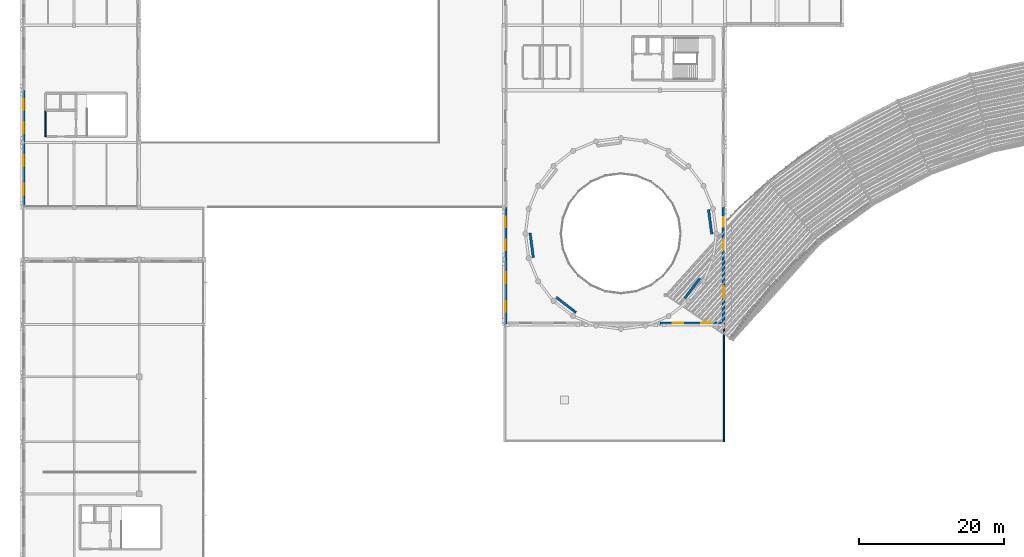
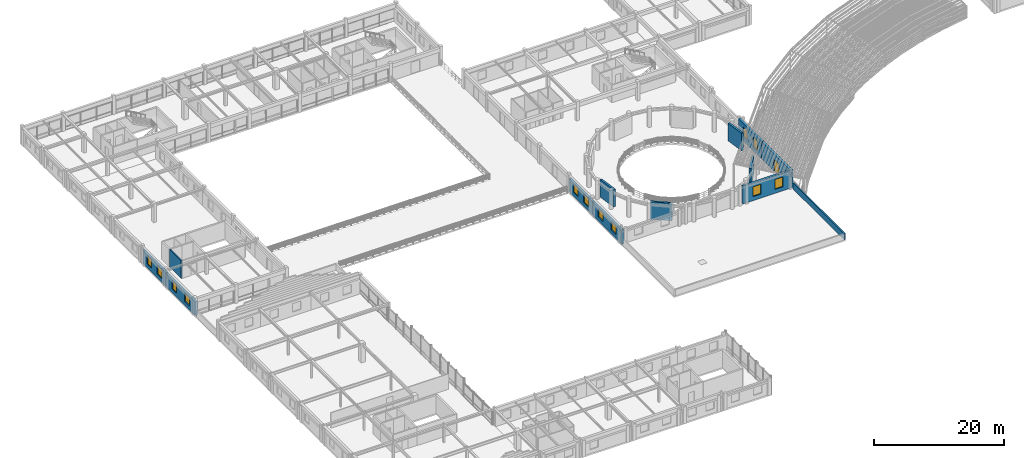
# One storey, part 49 of 74: 13 walls, 12 windows, 1 door, 13 openings.
"""IFC4 building model written with IfcOpenShell, lengths in metres."""

from ifc_helpers import new_model, si_unit, direction, frame, frame_2d, origin, place, context, subcontext, project, spatial, rectangle, extrude, material, layer, layer_set, type_object, element, fill, save


model = new_model("IFC4")

# Units and contexts
model_context = context("Model", 3, precision=1e-05, world=origin(), true_north=direction((0.0, 1.0)))
body_context = subcontext(model_context, "Body", "Model", "MODEL_VIEW")
ifc_project = project(units=[si_unit("LENGTHUNIT", "METRE"), si_unit("AREAUNIT", "SQUARE_METRE"), si_unit("VOLUMEUNIT", "CUBIC_METRE"), si_unit("PLANEANGLEUNIT", "RADIAN"), si_unit("MASSUNIT", "GRAM", prefix="KILO")], contexts=[model_context])

# Site, building, storey
site_placement = place(None, origin())
site = spatial("IfcSite", under=ifc_project, at=site_placement, CompositionType="ELEMENT")
building_placement = place(site_placement, origin())
building = spatial("IfcBuilding", under=site, at=building_placement, Name="Clarverna Civic Hall", CompositionType="ELEMENT")
storey_placement = place(building_placement, frame((0.0, 0.0, 13.199951171875)))
storey = spatial("IfcBuildingStorey", under=building, at=storey_placement, Name="L03", CompositionType="ELEMENT", Elevation=13.199951171875)

# Wall, openings, windows
ifc_material_1 = material(Name="Montjuic Limestone Ashlar Cladding", Category="masonry")
ifc_layer_1 = layer(ifc_material_1, 0.39990234375)
ifc_layer_set_1 = layer_set([ifc_layer_1], Name="Montjuic Limestone Ashlar Cladding")
wall_type_1 = type_object("IfcWallType", Name="EW-02", PredefinedType="SOLIDWALL", material=ifc_layer_set_1)
wall_1_placement = place(storey_placement, frame((96.97509765625, 62.60009765625, 0.0), z_axis=(0.0, 0.0, 1.0), x_axis=(0.0, -1.0, 0.0)))
wall_1 = element("IfcWall", 1, at=wall_1_placement, inside=storey, type_object=wall_type_1, Name="EW-02-163", PredefinedType="SOLIDWALL", context=body_context, shape_type="SweptSolid", body=[
    extrude(rectangle(XDim=7.2001953125, YDim=0.39990234375, at=frame_2d((3.60009765625, 0.0))), origin(), (0.0, 0.0, 1.0), 3.300048828125),
])
opening_1_placement = place(wall_1_placement, frame((1.365966796875, 0.0, 0.75)))
opening_1 = element("IfcOpeningElement", 2, at=opening_1_placement, cuts=wall_1, Name="Opening WN-19", PredefinedType="OPENING", context=body_context, shape_type="SweptSolid", body=[
    extrude(rectangle(XDim=1.300048828125, YDim=1.85009765625, at=frame_2d((0.64990234375, 0.925048828125))), frame((0.0, 0.2099609375, 0.0), z_axis=(0.0, -1.0, 0.0), x_axis=(1.0, 0.0, 0.0)), (0.0, 0.0, 1.0), 0.419921875),
])
opening_2_placement = place(wall_1_placement, frame((4.533935546875, 0.0, 0.75)))
opening_2 = element("IfcOpeningElement", 3, at=opening_2_placement, cuts=wall_1, Name="Opening WN-19", PredefinedType="OPENING", context=body_context, shape_type="SweptSolid", body=[
    extrude(rectangle(XDim=1.300048828125, YDim=1.85009765625, at=frame_2d((0.64990234375, 0.925048828125))), frame((0.0, 0.2099609375, 0.0), z_axis=(0.0, -1.0, 0.0), x_axis=(1.0, 0.0, 0.0)), (0.0, 0.0, 1.0), 0.419921875),
])
ifc_material_2 = material(Name="Solar-Control Argon Low-E Double Glazing", Category="glass")
window_type_1 = type_object("IfcWindowType", Name="WN-19", PartitioningType="SINGLE_PANEL", PredefinedType="WINDOW", material=ifc_material_2)
window_1_placement = place(opening_1_placement, origin())
window_1 = element("IfcWindow", 4, at=window_1_placement, inside=storey, type_object=window_type_1, Name="WN-19-003", OverallHeight=1.85009765625, OverallWidth=1.300048828125, PartitioningType="SINGLE_PANEL", PredefinedType="WINDOW", context=body_context, shape_type="SweptSolid", body=[
    extrude(rectangle(XDim=1.300048828125, YDim=1.85009765625, at=frame_2d((0.64990234375, 0.925048828125))), frame((0.0, 0.030029296875, 0.0), z_axis=(0.0, -1.0, 0.0), x_axis=(1.0, 0.0, 0.0)), (0.0, 0.0, 1.0), 0.06005859375),
])
fill(opening_1, window_1)
window_2_placement = place(opening_2_placement, origin())
window_2 = element("IfcWindow", 5, at=window_2_placement, inside=storey, type_object=window_type_1, Name="WN-19-004", OverallHeight=1.85009765625, OverallWidth=1.300048828125, PartitioningType="SINGLE_PANEL", PredefinedType="WINDOW", context=body_context, shape_type="SweptSolid", body=[
    extrude(rectangle(XDim=1.300048828125, YDim=1.85009765625, at=frame_2d((0.64990234375, 0.925048828125))), frame((0.0, 0.030029296875, 0.0), z_axis=(0.0, -1.0, 0.0), x_axis=(1.0, 0.0, 0.0)), (0.0, 0.0, 1.0), 0.06005859375),
])
fill(opening_2, window_2)

# Wall, opening, door
wall_2_placement = place(storey_placement, frame((96.97509765625, 55.39990234375, 0.0), z_axis=(0.0, 0.0, 1.0), x_axis=(0.0, -1.0, 0.0)))
wall_2 = element("IfcWall", 6, at=wall_2_placement, inside=storey, type_object=wall_type_1, Name="EW-02-164", PredefinedType="SOLIDWALL", context=body_context, shape_type="SweptSolid", body=[
    extrude(rectangle(XDim=9.0, YDim=0.39990234375, at=frame_2d((4.5, 0.0))), origin(), (0.0, 0.0, 1.0), 3.300048828125),
])
opening_3_placement = place(wall_2_placement, frame((3.699951171875, 0.0, 0.0)))
opening_3 = element("IfcOpeningElement", 7, at=opening_3_placement, cuts=wall_2, Name="Opening ED-04", PredefinedType="OPENING", context=body_context, shape_type="SweptSolid", body=[
    extrude(rectangle(XDim=1.60009765625, YDim=2.25, at=frame_2d((0.800048828125, 1.125))), frame((0.0, 0.2099609375, 0.0), z_axis=(0.0, -1.0, 0.0), x_axis=(1.0, 0.0, 0.0)), (0.0, 0.0, 1.0), 0.419921875),
])
ifc_material_3 = material(Name="Anodised Bronze Glazed Door")
door_type = type_object("IfcDoorType", Name="ED-04", OperationType="DOUBLE_DOOR_SINGLE_SWING", PredefinedType="DOOR", material=ifc_material_3)
door_placement = place(opening_3_placement, origin())
door = element("IfcDoor", 8, at=door_placement, inside=storey, type_object=door_type, Name="ED-04-029", OperationType="DOUBLE_DOOR_SINGLE_SWING", OverallHeight=2.25, OverallWidth=1.60009765625, PredefinedType="DOOR", context=body_context, shape_type="SweptSolid", body=[
    extrude(rectangle(XDim=1.60009765625, YDim=2.25, at=frame_2d((0.800048828125, 1.125))), frame((0.0, 0.02490234375, 0.0), z_axis=(0.0, -1.0, 0.0), x_axis=(1.0, 0.0, 0.0)), (0.0, 0.0, 1.0), 0.050048828125),
])
fill(opening_3, door)

# Wall, openings, windows
wall_3_placement = place(storey_placement, frame((97.175048828125, 46.60009765625, 0.0), z_axis=(0.0, 0.0, 1.0), x_axis=(-1.0, 0.0, 0.0)))
wall_3 = element("IfcWall", 9, at=wall_3_placement, inside=storey, type_object=wall_type_1, Name="EW-02-165", PredefinedType="SOLIDWALL", context=body_context, shape_type="SweptSolid", body=[
    extrude(rectangle(XDim=8.97509765625, YDim=0.39990234375, at=frame_2d((4.487548828125, 0.0))), origin(), (0.0, 0.0, 1.0), 3.300048828125),
])
opening_4_placement = place(wall_3_placement, frame((1.7880859375, 0.0, 0.75)))
opening_4 = element("IfcOpeningElement", 10, at=opening_4_placement, cuts=wall_3, Name="Opening WN-20", PredefinedType="OPENING", context=body_context, shape_type="SweptSolid", body=[
    extrude(rectangle(XDim=1.449951171875, YDim=1.85009765625, at=frame_2d((0.72509765625, 0.925048828125))), frame((0.0, 0.2099609375, 0.0), z_axis=(0.0, -1.0, 0.0), x_axis=(1.0, 0.0, 0.0)), (0.0, 0.0, 1.0), 0.419921875),
])
opening_5_placement = place(wall_3_placement, frame((5.737060546875, 0.0, 0.75)))
opening_5 = element("IfcOpeningElement", 11, at=opening_5_placement, cuts=wall_3, Name="Opening WN-20", PredefinedType="OPENING", context=body_context, shape_type="SweptSolid", body=[
    extrude(rectangle(XDim=1.449951171875, YDim=1.85009765625, at=frame_2d((0.72509765625, 0.925048828125))), frame((0.0, 0.2099609375, 0.0), z_axis=(0.0, -1.0, 0.0), x_axis=(1.0, 0.0, 0.0)), (0.0, 0.0, 1.0), 0.419921875),
])
window_type_2 = type_object("IfcWindowType", Name="WN-20", PartitioningType="DOUBLE_PANEL_VERTICAL", PredefinedType="WINDOW", material=ifc_material_2)
window_3_placement = place(opening_4_placement, origin())
window_3 = element("IfcWindow", 12, at=window_3_placement, inside=storey, type_object=window_type_2, Name="WN-20-003", OverallHeight=1.85009765625, OverallWidth=1.449951171875, PartitioningType="DOUBLE_PANEL_VERTICAL", PredefinedType="WINDOW", context=body_context, shape_type="SweptSolid", body=[
    extrude(rectangle(XDim=1.449951171875, YDim=1.85009765625, at=frame_2d((0.72509765625, 0.925048828125))), frame((0.0, 0.030029296875, 0.0), z_axis=(0.0, -1.0, 0.0), x_axis=(1.0, 0.0, 0.0)), (0.0, 0.0, 1.0), 0.06005859375),
])
fill(opening_4, window_3)
window_4_placement = place(opening_5_placement, origin())
window_4 = element("IfcWindow", 13, at=window_4_placement, inside=storey, type_object=window_type_2, Name="WN-20-004", OverallHeight=1.85009765625, OverallWidth=1.449951171875, PartitioningType="DOUBLE_PANEL_VERTICAL", PredefinedType="WINDOW", context=body_context, shape_type="SweptSolid", body=[
    extrude(rectangle(XDim=1.449951171875, YDim=1.85009765625, at=frame_2d((0.72509765625, 0.925048828125))), frame((0.0, 0.030029296875, 0.0), z_axis=(0.0, -1.0, 0.0), x_axis=(1.0, 0.0, 0.0)), (0.0, 0.0, 1.0), 0.06005859375),
])
fill(opening_5, window_4)

wall_4_placement = place(storey_placement, frame((66.824951171875, 46.39990234375, 0.0), z_axis=(0.0, 0.0, 1.0), x_axis=(0.0, 1.0, 0.0)))
wall_4 = element("IfcWall", 14, at=wall_4_placement, inside=storey, type_object=wall_type_1, Name="EW-02-168", PredefinedType="SOLIDWALL", context=body_context, shape_type="SweptSolid", body=[
    extrude(rectangle(XDim=9.0, YDim=0.39990234375, at=frame_2d((4.5, 0.0))), origin(), (0.0, 0.0, 1.0), 2.580078125),
])
opening_6_placement = place(wall_4_placement, frame((1.77001953125, 0.0, 0.75)))
opening_6 = element("IfcOpeningElement", 15, at=opening_6_placement, cuts=wall_4, Name="Opening WN-14", PredefinedType="OPENING", context=body_context, shape_type="SweptSolid", body=[
    extrude(rectangle(XDim=1.5, YDim=1.60009765625, at=frame_2d((0.75, 0.800048828125))), frame((0.0, 0.2099609375, 0.0), z_axis=(0.0, -1.0, 0.0), x_axis=(1.0, 0.0, 0.0)), (0.0, 0.0, 1.0), 0.419921875),
])
opening_7_placement = place(wall_4_placement, frame((5.72998046875, 0.0, 0.75)))
opening_7 = element("IfcOpeningElement", 16, at=opening_7_placement, cuts=wall_4, Name="Opening WN-14", PredefinedType="OPENING", context=body_context, shape_type="SweptSolid", body=[
    extrude(rectangle(XDim=1.5, YDim=1.60009765625, at=frame_2d((0.75, 0.800048828125))), frame((0.0, 0.2099609375, 0.0), z_axis=(0.0, -1.0, 0.0), x_axis=(1.0, 0.0, 0.0)), (0.0, 0.0, 1.0), 0.419921875),
])
window_type_3 = type_object("IfcWindowType", Name="WN-14", PartitioningType="DOUBLE_PANEL_HORIZONTAL", PredefinedType="WINDOW", material=ifc_material_2)
window_5_placement = place(opening_6_placement, origin())
window_5 = element("IfcWindow", 17, at=window_5_placement, inside=storey, type_object=window_type_3, Name="WN-14-146", OverallHeight=1.60009765625, OverallWidth=1.5, PartitioningType="DOUBLE_PANEL_HORIZONTAL", PredefinedType="WINDOW", context=body_context, shape_type="SweptSolid", body=[
    extrude(rectangle(XDim=1.5, YDim=1.60009765625, at=frame_2d((0.75, 0.800048828125))), frame((0.0, 0.030029296875, 0.0), z_axis=(0.0, -1.0, 0.0), x_axis=(1.0, 0.0, 0.0)), (0.0, 0.0, 1.0), 0.06005859375),
])
fill(opening_6, window_5)
window_6_placement = place(opening_7_placement, origin())
window_6 = element("IfcWindow", 18, at=window_6_placement, inside=storey, type_object=window_type_3, Name="WN-14-147", OverallHeight=1.60009765625, OverallWidth=1.5, PartitioningType="DOUBLE_PANEL_HORIZONTAL", PredefinedType="WINDOW", context=body_context, shape_type="SweptSolid", body=[
    extrude(rectangle(XDim=1.5, YDim=1.60009765625, at=frame_2d((0.75, 0.800048828125))), frame((0.0, 0.030029296875, 0.0), z_axis=(0.0, -1.0, 0.0), x_axis=(1.0, 0.0, 0.0)), (0.0, 0.0, 1.0), 0.06005859375),
])
fill(opening_7, window_6)

wall_5_placement = place(storey_placement, frame((66.824951171875, 55.39990234375, 0.0), z_axis=(0.0, 0.0, 1.0), x_axis=(0.0, 1.0, 0.0)))
wall_5 = element("IfcWall", 19, at=wall_5_placement, inside=storey, type_object=wall_type_1, Name="EW-02-169", PredefinedType="SOLIDWALL", context=body_context, shape_type="SweptSolid", body=[
    extrude(rectangle(XDim=7.2001953125, YDim=0.39990234375, at=frame_2d((3.60009765625, 0.0))), origin(), (0.0, 0.0, 1.0), 2.580078125),
])
opening_8_placement = place(wall_5_placement, frame((1.26611328125, 0.0, 0.75)))
opening_8 = element("IfcOpeningElement", 20, at=opening_8_placement, cuts=wall_5, Name="Opening WN-14", PredefinedType="OPENING", context=body_context, shape_type="SweptSolid", body=[
    extrude(rectangle(XDim=1.5, YDim=1.60009765625, at=frame_2d((0.75, 0.800048828125))), frame((0.0, 0.2099609375, 0.0), z_axis=(0.0, -1.0, 0.0), x_axis=(1.0, 0.0, 0.0)), (0.0, 0.0, 1.0), 0.419921875),
])
opening_9_placement = place(wall_5_placement, frame((4.43408203125, 0.0, 0.75)))
opening_9 = element("IfcOpeningElement", 21, at=opening_9_placement, cuts=wall_5, Name="Opening WN-14", PredefinedType="OPENING", context=body_context, shape_type="SweptSolid", body=[
    extrude(rectangle(XDim=1.5, YDim=1.60009765625, at=frame_2d((0.75, 0.800048828125))), frame((0.0, 0.2099609375, 0.0), z_axis=(0.0, -1.0, 0.0), x_axis=(1.0, 0.0, 0.0)), (0.0, 0.0, 1.0), 0.419921875),
])
window_7_placement = place(opening_8_placement, origin())
window_7 = element("IfcWindow", 22, at=window_7_placement, inside=storey, type_object=window_type_3, Name="WN-14-148", OverallHeight=1.60009765625, OverallWidth=1.5, PartitioningType="DOUBLE_PANEL_HORIZONTAL", PredefinedType="WINDOW", context=body_context, shape_type="SweptSolid", body=[
    extrude(rectangle(XDim=1.5, YDim=1.60009765625, at=frame_2d((0.75, 0.800048828125))), frame((0.0, 0.030029296875, 0.0), z_axis=(0.0, -1.0, 0.0), x_axis=(1.0, 0.0, 0.0)), (0.0, 0.0, 1.0), 0.06005859375),
])
fill(opening_8, window_7)
window_8_placement = place(opening_9_placement, origin())
window_8 = element("IfcWindow", 23, at=window_8_placement, inside=storey, type_object=window_type_3, Name="WN-14-149", OverallHeight=1.60009765625, OverallWidth=1.5, PartitioningType="DOUBLE_PANEL_HORIZONTAL", PredefinedType="WINDOW", context=body_context, shape_type="SweptSolid", body=[
    extrude(rectangle(XDim=1.5, YDim=1.60009765625, at=frame_2d((0.75, 0.800048828125))), frame((0.0, 0.030029296875, 0.0), z_axis=(0.0, -1.0, 0.0), x_axis=(1.0, 0.0, 0.0)), (0.0, 0.0, 1.0), 0.06005859375),
])
fill(opening_9, window_8)

wall_6_placement = place(storey_placement, frame((0.199951171875, 62.60009765625, 0.0), z_axis=(0.0, 0.0, 1.0), x_axis=(0.0, 1.0, 0.0)))
wall_6 = element("IfcWall", 24, at=wall_6_placement, inside=storey, type_object=wall_type_1, Name="EW-02-185", PredefinedType="SOLIDWALL", context=body_context, shape_type="SweptSolid", body=[
    extrude(rectangle(XDim=9.0, YDim=0.39990234375, at=frame_2d((4.5, 0.0))), origin(), (0.0, 0.0, 1.0), 2.580078125),
])
opening_10_placement = place(wall_6_placement, frame((1.77001953125, 0.0, 0.75)))
opening_10 = element("IfcOpeningElement", 25, at=opening_10_placement, cuts=wall_6, Name="Opening WN-14", PredefinedType="OPENING", context=body_context, shape_type="SweptSolid", body=[
    extrude(rectangle(XDim=1.5, YDim=1.60009765625, at=frame_2d((0.75, 0.800048828125))), frame((0.0, 0.2099609375, 0.0), z_axis=(0.0, -1.0, 0.0), x_axis=(1.0, 0.0, 0.0)), (0.0, 0.0, 1.0), 0.419921875),
])
opening_11_placement = place(wall_6_placement, frame((5.72998046875, 0.0, 0.75)))
opening_11 = element("IfcOpeningElement", 26, at=opening_11_placement, cuts=wall_6, Name="Opening WN-14", PredefinedType="OPENING", context=body_context, shape_type="SweptSolid", body=[
    extrude(rectangle(XDim=1.5, YDim=1.60009765625, at=frame_2d((0.75, 0.800048828125))), frame((0.0, 0.2099609375, 0.0), z_axis=(0.0, -1.0, 0.0), x_axis=(1.0, 0.0, 0.0)), (0.0, 0.0, 1.0), 0.419921875),
])
window_9_placement = place(opening_10_placement, origin())
window_9 = element("IfcWindow", 27, at=window_9_placement, inside=storey, type_object=window_type_3, Name="WN-14-168", OverallHeight=1.60009765625, OverallWidth=1.5, PartitioningType="DOUBLE_PANEL_HORIZONTAL", PredefinedType="WINDOW", context=body_context, shape_type="SweptSolid", body=[
    extrude(rectangle(XDim=1.5, YDim=1.60009765625, at=frame_2d((0.75, 0.800048828125))), frame((0.0, 0.030029296875, 0.0), z_axis=(0.0, -1.0, 0.0), x_axis=(1.0, 0.0, 0.0)), (0.0, 0.0, 1.0), 0.06005859375),
])
fill(opening_10, window_9)
window_10_placement = place(opening_11_placement, origin())
window_10 = element("IfcWindow", 28, at=window_10_placement, inside=storey, type_object=window_type_3, Name="WN-14-169", OverallHeight=1.60009765625, OverallWidth=1.5, PartitioningType="DOUBLE_PANEL_HORIZONTAL", PredefinedType="WINDOW", context=body_context, shape_type="SweptSolid", body=[
    extrude(rectangle(XDim=1.5, YDim=1.60009765625, at=frame_2d((0.75, 0.800048828125))), frame((0.0, 0.030029296875, 0.0), z_axis=(0.0, -1.0, 0.0), x_axis=(1.0, 0.0, 0.0)), (0.0, 0.0, 1.0), 0.06005859375),
])
fill(opening_11, window_10)

wall_7_placement = place(storey_placement, frame((0.199951171875, 71.60009765625, 0.0), z_axis=(0.0, 0.0, 1.0), x_axis=(0.0, 1.0, 0.0)))
wall_7 = element("IfcWall", 29, at=wall_7_placement, inside=storey, type_object=wall_type_1, Name="EW-02-186", PredefinedType="SOLIDWALL", context=body_context, shape_type="SweptSolid", body=[
    extrude(rectangle(XDim=7.199951171875, YDim=0.39990234375, at=frame_2d((3.60009765625, 0.0))), origin(), (0.0, 0.0, 1.0), 2.6201171875),
])
opening_12_placement = place(wall_7_placement, frame((1.26611328125, 0.0, 0.75)))
opening_12 = element("IfcOpeningElement", 30, at=opening_12_placement, cuts=wall_7, Name="Opening WN-14", PredefinedType="OPENING", context=body_context, shape_type="SweptSolid", body=[
    extrude(rectangle(XDim=1.5, YDim=1.60009765625, at=frame_2d((0.75, 0.800048828125))), frame((0.0, 0.2099609375, 0.0), z_axis=(0.0, -1.0, 0.0), x_axis=(1.0, 0.0, 0.0)), (0.0, 0.0, 1.0), 0.419921875),
])
opening_13_placement = place(wall_7_placement, frame((4.43408203125, 0.0, 0.75)))
opening_13 = element("IfcOpeningElement", 31, at=opening_13_placement, cuts=wall_7, Name="Opening WN-14", PredefinedType="OPENING", context=body_context, shape_type="SweptSolid", body=[
    extrude(rectangle(XDim=1.5, YDim=1.60009765625, at=frame_2d((0.75, 0.800048828125))), frame((0.0, 0.2099609375, 0.0), z_axis=(0.0, -1.0, 0.0), x_axis=(1.0, 0.0, 0.0)), (0.0, 0.0, 1.0), 0.419921875),
])
window_11_placement = place(opening_12_placement, origin())
window_11 = element("IfcWindow", 32, at=window_11_placement, inside=storey, type_object=window_type_3, Name="WN-14-170", OverallHeight=1.60009765625, OverallWidth=1.5, PartitioningType="DOUBLE_PANEL_HORIZONTAL", PredefinedType="WINDOW", context=body_context, shape_type="SweptSolid", body=[
    extrude(rectangle(XDim=1.5, YDim=1.60009765625, at=frame_2d((0.75, 0.800048828125))), frame((0.0, 0.030029296875, 0.0), z_axis=(0.0, -1.0, 0.0), x_axis=(1.0, 0.0, 0.0)), (0.0, 0.0, 1.0), 0.06005859375),
])
fill(opening_12, window_11)
window_12_placement = place(opening_13_placement, origin())
window_12 = element("IfcWindow", 33, at=window_12_placement, inside=storey, type_object=window_type_3, Name="WN-14-171", OverallHeight=1.60009765625, OverallWidth=1.5, PartitioningType="DOUBLE_PANEL_HORIZONTAL", PredefinedType="WINDOW", context=body_context, shape_type="SweptSolid", body=[
    extrude(rectangle(XDim=1.5, YDim=1.60009765625, at=frame_2d((0.75, 0.800048828125))), frame((0.0, 0.030029296875, 0.0), z_axis=(0.0, -1.0, 0.0), x_axis=(1.0, 0.0, 0.0)), (0.0, 0.0, 1.0), 0.06005859375),
])
fill(opening_13, window_12)

# Walls
ifc_material_4 = material(Name="Precast concrete C40/50", Category="concrete")
ifc_layer_2 = layer(ifc_material_4, 0.239990234375)
ifc_layer_set_2 = layer_set([ifc_layer_2], Name="Precast concrete C40/50")
wall_type_2 = type_object("IfcWallType", Name="PR-01", PredefinedType="PARAPET", material=ifc_layer_set_2)
wall_8_placement = place(storey_placement, frame((97.054931640625, 46.050048828125, 0.0), z_axis=(0.0, 0.0, 1.0), x_axis=(0.0, -1.0, 0.0)))
element("IfcWall", 34, at=wall_8_placement, inside=storey, type_object=wall_type_2, Name="PR-01-021", PredefinedType="PARAPET", context=body_context, shape_type="SweptSolid", body=[
    extrude(rectangle(XDim=15.85009765625, YDim=0.239990234375, at=frame_2d((7.925048828125, 0.0))), origin(), (0.0, 0.0, 1.0), 1.150146484375),
])
ifc_material_5 = material(Name="Acoustic Gypsum Plasterboard on Twin Frame", Category="gypsum")
ifc_layer_3 = layer(ifc_material_5, 0.18994140625)
ifc_layer_set_3 = layer_set([ifc_layer_3], Name="Acoustic Gypsum Plasterboard on Twin Frame")
wall_type_3 = type_object("IfcWallType", Name="PW-06", PredefinedType="PARTITIONING", material=ifc_layer_set_3)
wall_9_placement = place(storey_placement, frame((3.25, 72.39990234375, 0.0), z_axis=(0.0, 0.0, 1.0), x_axis=(0.0, 1.0, 0.0)))
element("IfcWall", 35, at=wall_9_placement, inside=storey, type_object=wall_type_3, Name="PW-06-123", PredefinedType="PARTITIONING", context=body_context, shape_type="SweptSolid", body=[
    extrude(rectangle(XDim=3.650146484375, YDim=0.18994140625, at=frame_2d((1.8251953125, 0.0))), origin(), (0.0, 0.0, 1.0), 3.300048828125),
])
ifc_material_6 = material(Name="Concrete C35/45", Category="concrete")
ifc_layer_4 = layer(ifc_material_6, 0.340087890625)
ifc_layer_set_4 = layer_set([ifc_layer_4], Name="Concrete C35/45")
wall_type_4 = type_object("IfcWallType", Name="SW-02", PredefinedType="SHEAR", material=ifc_layer_set_4)
for number, where, z_axis, x_axis, name in (
    (36, (95.361083984375, 58.916015625, 0.0), (0.0, 0.0, 1.0), (-0.130511329852, 0.991446817928, 0.0), "SW-02-008"),
    (37, (70.239013671875, 59.083984375, 0.0), (0.0, 0.0, 1.0), (0.130511329852, -0.991446817928, 0.0), "SW-02-012"),
    (38, (73.8583984375, 50.177490234375, 0.0), (0.0, 0.0, 1.0), (0.793371393551, -0.608737900821, 0.0), "SW-02-013"),
    (39, (91.62255859375, 50.05859375, 0.0), (0.0, 0.0, 1.0), (0.608772119258, 0.79334513726, 0.0), "SW-02-014"),
):
    element("IfcWall", number, at=place(storey_placement, frame(where, z_axis=z_axis, x_axis=x_axis)), inside=storey, type_object=wall_type_4, Name=name, PredefinedType="SHEAR", context=body_context, shape_type="SweptSolid", body=[
        extrude(rectangle(XDim=3.44580078125, YDim=0.340087890625, at=frame_2d((1.722900390625, 0.0))), origin(), (0.0, 0.0, 1.0), 3.300048828125),
    ])

save(model, "model.ifc")
